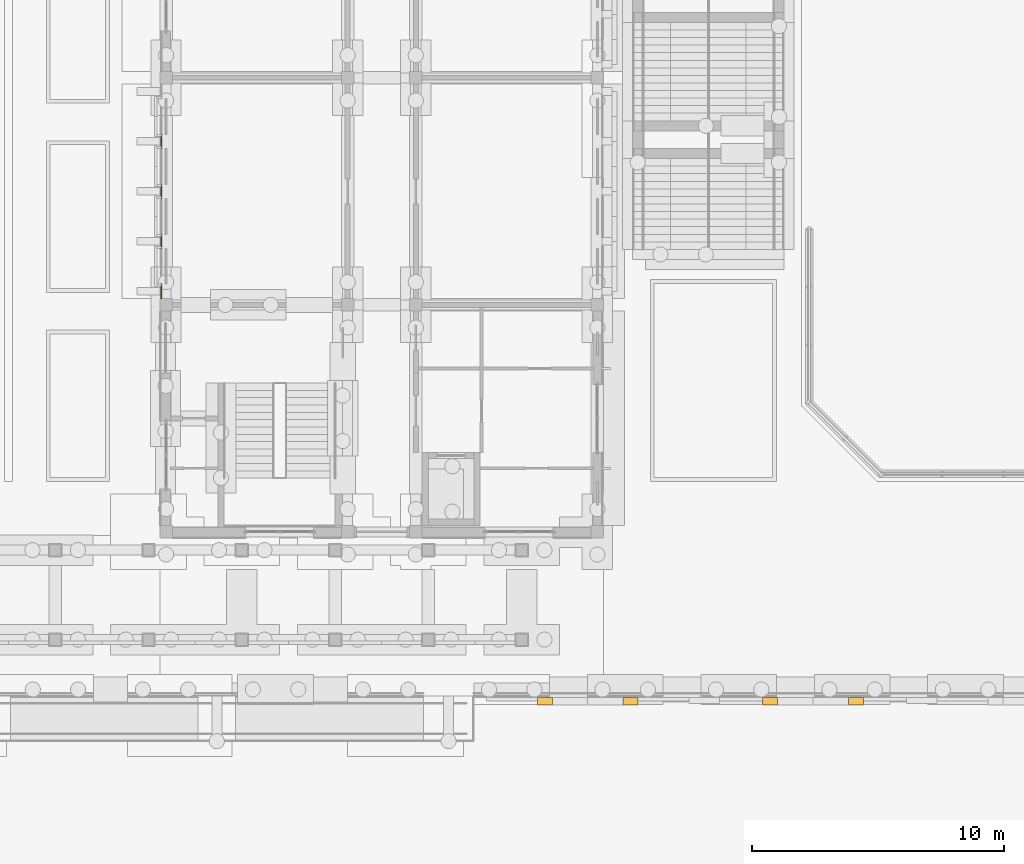
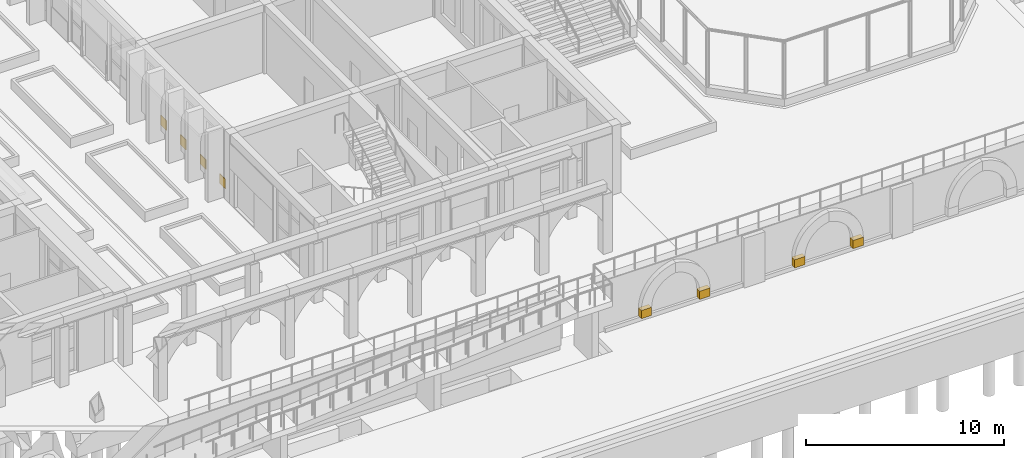
# One storey, part 153 of 161: 8 coverings.
"""IFC4 building model written with IfcOpenShell, lengths in metres."""

from ifc_helpers import new_model, si_unit, direction, frame, origin, origin_2d, place, context, subcontext, project, spatial, polyline, rectangle, outline, extrude, material, layer, layer_set, type_object, element, save


model = new_model("IFC4")

# Units and contexts
model_context = context("Model", 3, precision=1e-05, world=origin(), true_north=direction((0.0, 1.0)))
body_context = subcontext(model_context, "Body", "Model", "MODEL_VIEW")
ifc_project = project(units=[si_unit("LENGTHUNIT", "METRE"), si_unit("AREAUNIT", "SQUARE_METRE"), si_unit("VOLUMEUNIT", "CUBIC_METRE"), si_unit("PLANEANGLEUNIT", "RADIAN"), si_unit("MASSUNIT", "GRAM", prefix="KILO")], contexts=[model_context])

# Site, building, storey
site_placement = place(None, origin())
site = spatial("IfcSite", under=ifc_project, at=site_placement, CompositionType="ELEMENT")
building_placement = place(site_placement, origin())
building = spatial("IfcBuilding", under=site, at=building_placement, Name="Elbe Cascade School", CompositionType="ELEMENT")
storey_placement = place(building_placement, origin())
storey = spatial("IfcBuildingStorey", under=building, at=storey_placement, Name="L00", CompositionType="ELEMENT", Elevation=0.0)

# Coverings
ifc_material_1 = material(Name="Sandstone - red", Category="masonry")
ifc_layer_1 = layer(ifc_material_1, 0.0400390625)
ifc_layer_set_1 = layer_set([ifc_layer_1], Name="Sandstone - red")
covering_type_1 = type_object("IfcCoveringType", Name="Bars envelope Sandstone cladding, red, 40 mm", PredefinedType="CLADDING", material=ifc_layer_set_1)
for number, where, z_axis, x_axis, name in (
    (1, (157.60009765625, 15.5400390625, 0.599853515625), (0.0, 0.0, 1.0), (0.0, 1.0, 0.0), "Sandstone cladding CV48 D.L00.w.2.2"),
    (2, (157.60009765625, 17.52001953125, 0.599853515625), (0.0, 0.0, 1.0), (0.0, 1.0, 0.0), "Sandstone cladding CV48 D.L00.w.2.3"),
    (3, (157.60009765625, 19.5, 0.599853515625), (0.0, 0.0, 1.0), (0.0, 1.0, 0.0), "Sandstone cladding CV48 D.L00.w.2.4"),
    (4, (157.60009765625, 21.47998046875, 0.599853515625), (0.0, 0.0, 1.0), (0.0, 1.0, 0.0), "Sandstone cladding CV48 D.L00.w.2.5"),
):
    element("IfcCovering", number, at=place(storey_placement, frame(where, z_axis=z_axis, x_axis=x_axis)), inside=storey, type_object=covering_type_1, Name=name, PredefinedType="CLADDING", context=body_context, shape_type="SweptSolid", body=[
        extrude(rectangle(XDim=0.580078125, YDim=0.0400390625, at=origin_2d()), origin(), (0.0, 0.0, 1.0), 0.60009765625),
    ])
ifc_material_2 = material(Name="Sandstone - red", Category="masonry")
ifc_layer_2 = layer(ifc_material_2, 0.300048828125)
ifc_layer_set_2 = layer_set([ifc_layer_2], Name="Sandstone - red")
covering_type_2 = type_object("IfcCoveringType", Name="Plinth niche frame leg 600x300", PredefinedType="CLADDING", material=ifc_layer_set_2)
covering_1_placement = place(storey_placement, frame((0.0, 0.0, -2.85009765625)))
element("IfcCovering", 5, at=covering_1_placement, inside=storey, type_object=covering_type_2, Name="Plinth niche frame leg south 0.6.1a", PredefinedType="CLADDING", context=body_context, shape_type="SweptSolid", body=[
    extrude(outline(polyline([(172.5166015625, -0.860107421875), (173.11669921875, -0.860107421875), (173.11669921875, -0.56005859375), (172.5166015625, -0.56005859375), (172.5166015625, -0.860107421875)])), origin(), (0.0, 0.0, 1.0), 0.5),
])
covering_2_placement = place(storey_placement, frame((0.0, 0.0, -2.85009765625)))
element("IfcCovering", 6, at=covering_2_placement, inside=storey, type_object=covering_type_2, Name="Plinth niche frame leg south 0.6.1b", PredefinedType="CLADDING", context=body_context, shape_type="SweptSolid", body=[
    extrude(outline(polyline([(175.916748046875, -0.860107421875), (176.5166015625, -0.860107421875), (176.5166015625, -0.56005859375), (175.916748046875, -0.56005859375), (175.916748046875, -0.860107421875)])), origin(), (0.0, 0.0, 1.0), 0.5),
])
covering_3_placement = place(storey_placement, frame((0.0, 0.0, -2.85009765625)))
element("IfcCovering", 7, at=covering_3_placement, inside=storey, type_object=covering_type_2, Name="Plinth niche frame leg south 0.6.2a", PredefinedType="CLADDING", context=body_context, shape_type="SweptSolid", body=[
    extrude(outline(polyline([(181.449951171875, -0.860107421875), (182.050048828125, -0.860107421875), (182.050048828125, -0.56005859375), (181.449951171875, -0.56005859375), (181.449951171875, -0.860107421875)])), origin(), (0.0, 0.0, 1.0), 0.5),
])
covering_4_placement = place(storey_placement, frame((0.0, 0.0, -2.85009765625)))
element("IfcCovering", 8, at=covering_4_placement, inside=storey, type_object=covering_type_2, Name="Plinth niche frame leg south 0.6.2b", PredefinedType="CLADDING", context=body_context, shape_type="SweptSolid", body=[
    extrude(outline(polyline([(184.85009765625, -0.860107421875), (185.449951171875, -0.860107421875), (185.449951171875, -0.56005859375), (184.85009765625, -0.56005859375), (184.85009765625, -0.860107421875)])), origin(), (0.0, 0.0, 1.0), 0.5),
])

save(model, "model.ifc")
